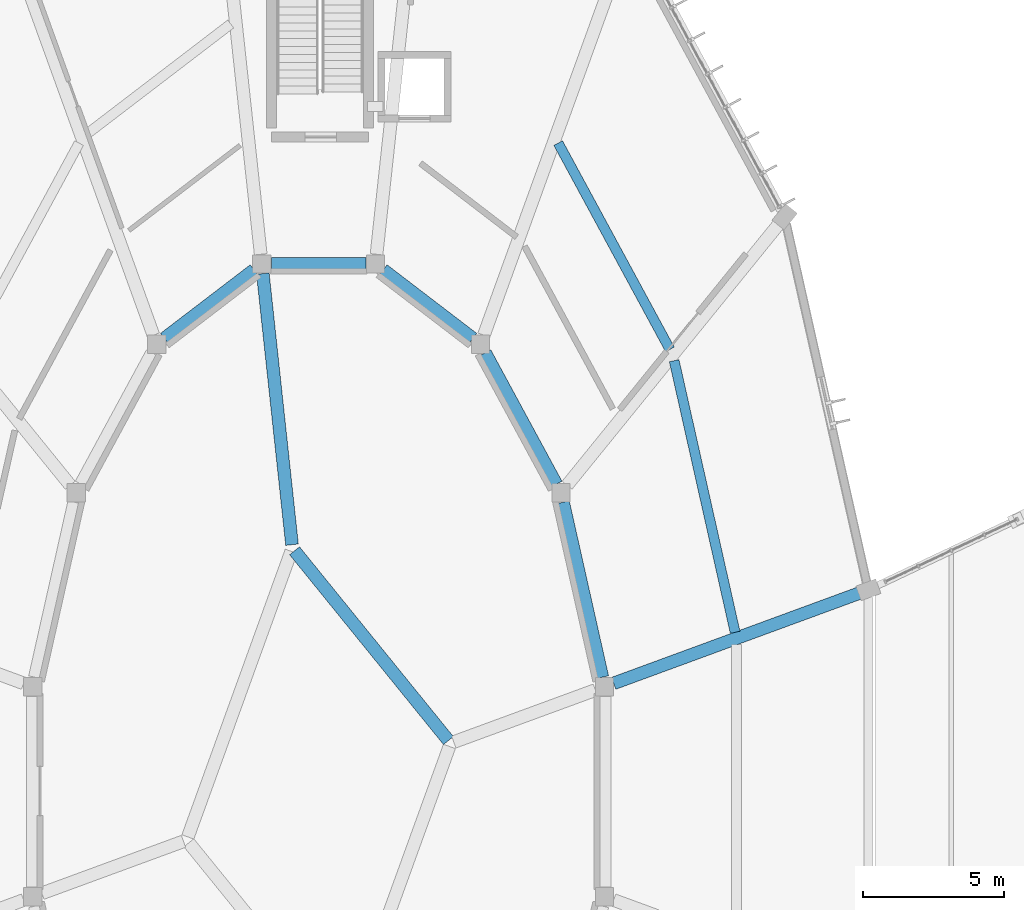
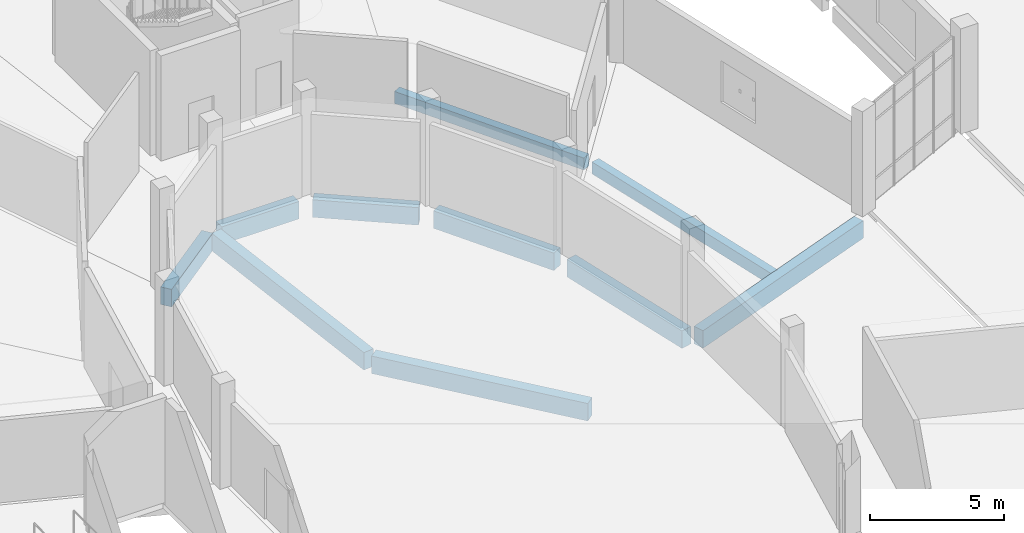
# One storey, part 70 of 179: 10 beams.
"""IFC4 building model written with IfcOpenShell, lengths in metres."""

import ifcopenshell
import ifcopenshell.guid

model = None  # the IFC model being written
_history = None  # IfcOwnerHistory: only IFC2X3 demands one
_inside = {}  # id of a spatial element -> (the spatial element, [elements in it])
_under = {}  # id of a project, library or spatial element -> (it, [spatial elements below it])
_declared = {}  # id of a project -> (the project, [libraries it declares])
_typed = {}  # id of a type object -> (the type object, [elements of that type])
_made_of = {}  # id of a material, layer set ... -> (it, [elements and type objects made of it])


def new_model(schema):
    """Start an empty IFC model of exactly this schema.

    Asked for "IFC4X3", IfcOpenShell would pick the latest addendum, in which some entities
    have other attributes; the version numbers below select the first issue.
    IFC2X3 requires an IfcOwnerHistory on every rooted entity: one is made here for all.
    """
    global model, _history
    if schema == "IFC4X3":
        model = ifcopenshell.file(schema_version=(4, 3, 0, 0))
    else:
        model = ifcopenshell.file(schema=schema)
    _inside.clear()
    _under.clear()
    _declared.clear()
    _typed.clear()
    _made_of.clear()
    _history = None
    if model.schema == "IFC2X3":
        org = make("IfcOrganization", Name="unknown")
        user = make(
            "IfcPersonAndOrganization",
            ThePerson=make("IfcPerson", FamilyName="unknown"),
            TheOrganization=org,
        )
        app = make(
            "IfcApplication",
            ApplicationDeveloper=org,
            Version="unknown",
            ApplicationFullName="unknown",
            ApplicationIdentifier="unknown",
        )
        _history = make(
            "IfcOwnerHistory",
            OwningUser=user,
            OwningApplication=app,
            ChangeAction="ADDED",
            CreationDate=0,
        )
    return model


def make(cls, **values):
    """One entity of the class cls with the attributes given. An attribute that is None is left unset."""
    return model.create_entity(
        cls, **{name: value for name, value in values.items() if value is not None}
    )


def rooted(cls, **values):
    """An entity with a GlobalId (a new one), such as an element, a storey or a relation."""
    return make(cls, GlobalId=ifcopenshell.guid.new(), OwnerHistory=_history, **values)


def si_unit(unit_type, name, prefix=None):
    """IfcSIUnit, for example si_unit("LENGTHUNIT", "METRE", prefix="MILLI")."""
    return make("IfcSIUnit", UnitType=unit_type, Prefix=prefix, Name=name)


def assignment(units):
    """IfcUnitAssignment: the units of a project."""
    return None if units is None else make("IfcUnitAssignment", Units=units)


def point(xyz):
    """IfcCartesianPoint."""
    return None if xyz is None else make("IfcCartesianPoint", Coordinates=xyz)


def direction(xyz):
    """IfcDirection."""
    return None if xyz is None else make("IfcDirection", DirectionRatios=xyz)


def frame(location, z_axis=None, x_axis=None):
    """IfcAxis2Placement3D, a coordinate frame: its origin and axes. An axis left out is left unset."""
    return make(
        "IfcAxis2Placement3D",
        Location=point(location),
        Axis=direction(z_axis),
        RefDirection=direction(x_axis),
    )


def frame_2d(location, x_axis=None):
    """IfcAxis2Placement2D, a coordinate frame in the plane: its origin and x axis."""
    return make(
        "IfcAxis2Placement2D", Location=point(location), RefDirection=direction(x_axis)
    )


def origin():
    """The frame at (0, 0, 0) with its axes left unset."""
    return frame((0.0, 0.0, 0.0))


def origin_2d():
    """The frame at (0, 0) in the plane with its x axis left unset."""
    return frame_2d((0.0, 0.0))


def place(relative_to, where):
    """IfcLocalPlacement: puts the frame where relative to a parent placement (None: the world)."""
    return make(
        "IfcLocalPlacement", PlacementRelTo=relative_to, RelativePlacement=where
    )


def context(
    kind, dimensions, precision=None, world=None, true_north=None, identifier=None
):
    """IfcGeometricRepresentationContext, for example the 3D "Model" context."""
    return make(
        "IfcGeometricRepresentationContext",
        ContextIdentifier=identifier,
        ContextType=kind,
        CoordinateSpaceDimension=dimensions,
        Precision=precision,
        WorldCoordinateSystem=world,
        TrueNorth=true_north,
    )


def subcontext(parent, identifier, kind, view, scale=None):
    """IfcGeometricRepresentationSubContext, for example "Body" below "Model"."""
    return make(
        "IfcGeometricRepresentationSubContext",
        ContextIdentifier=identifier,
        ContextType=kind,
        ParentContext=parent,
        TargetScale=scale,
        TargetView=view,
    )


def project(units=None, contexts=None):
    """IfcProject with its units and contexts."""
    return rooted(
        "IfcProject",
        Name="project",
        RepresentationContexts=contexts,
        UnitsInContext=assignment(units),
    )


def spatial(cls, under=None, at=None, **own):
    """A site, building, storey or space (cls), placed at a placement, below another one or the project."""
    s = rooted(cls, ObjectPlacement=at, **own)
    if under is not None:
        _under.setdefault(under.id(), (under, []))[1].append(s)
    return s


def profile(cls, at=None, kind="AREA", **sizes):
    """A parametric profile (cls). Its sizes go by their IFC names, for example OverallWidth=200.0."""
    return make(cls, ProfileType=kind, Position=at, **sizes)


def rectangle(**sizes):
    """IfcRectangleProfileDef."""
    return profile("IfcRectangleProfileDef", **sizes)


def extrude(swept, where, along, depth):
    """IfcExtrudedAreaSolid: the profile swept, set in the frame where, extruded along a direction by depth."""
    return make(
        "IfcExtrudedAreaSolid",
        SweptArea=swept,
        Position=where,
        ExtrudedDirection=direction(along),
        Depth=depth,
    )


def shape(context_of_items, identifier, shape_type, items):
    """IfcShapeRepresentation: the items that make up one representation, for example the "Body"."""
    return make(
        "IfcShapeRepresentation",
        ContextOfItems=context_of_items,
        RepresentationIdentifier=identifier,
        RepresentationType=shape_type,
        Items=items,
    )


def material(Name=None, Category=None):
    """IfcMaterial."""
    return make("IfcMaterial", Name=Name, Category=Category)


def material_profile(
    of_material, cross_section, Name=None, Category=None, Priority=None
):
    """IfcMaterialProfile: a cross section and its material."""
    return make(
        "IfcMaterialProfile",
        Name=Name,
        Material=of_material,
        Profile=cross_section,
        Priority=Priority,
        Category=Category,
    )


def profile_set(profiles, Name=None, composite=None):
    """IfcMaterialProfileSet."""
    return make(
        "IfcMaterialProfileSet",
        Name=Name,
        MaterialProfiles=profiles,
        CompositeProfile=composite,
    )


def made_of(thing, what):
    """Note that an element or type object is made of a material, layer set ...; save() writes the relation."""
    if what is not None:
        _made_of.setdefault(what.id(), (what, []))[1].append(thing)
    return thing


def type_object(cls, material=None, **own):
    """A type object (cls), such as IfcWallType, which elements share."""
    return made_of(rooted(cls, **own), material)


def element(
    cls,
    number,
    at=None,
    inside=None,
    cuts=None,
    type_object=None,
    material=None,
    context=None,
    identifier="Body",
    shape_type=None,
    held_by="IfcProductDefinitionShape",
    body=None,
    shapes=None,
    **own,
):
    """One element of the class cls, such as IfcWall. Its Tag is "e" and its number.

    at: its placement. inside: the storey or other place that contains it. cuts: it is an
    opening in that element (IfcRelVoidsElement). A single representation is given by context,
    identifier, shape_type and body (its items); several are given by shapes. held_by: the class
    of the entity that holds the representations. save() writes the other relations.
    """
    e = rooted(cls, Tag="e%d" % number, ObjectPlacement=at, **own)
    if body is not None:
        shapes = [shape(context, identifier, shape_type, body)]
    if shapes is not None:
        e.Representation = make(held_by, Representations=shapes)
    if inside is not None:
        _inside.setdefault(inside.id(), (inside, []))[1].append(e)
    if cuts is not None:
        rooted(
            "IfcRelVoidsElement", RelatingBuildingElement=cuts, RelatedOpeningElement=e
        )
    if type_object is not None:
        _typed.setdefault(type_object.id(), (type_object, []))[1].append(e)
    return made_of(e, material)


def aggregate(whole, parts):
    """IfcRelAggregates: a whole, such as a stair, and the parts it consists of."""
    return rooted("IfcRelAggregates", RelatingObject=whole, RelatedObjects=parts)


def save(model, path):
    """Write the relations noted so far, then the file.

    IfcRelAggregates (storeys below a building ...), IfcRelContainedInSpatialStructure (elements
    in a storey), IfcRelDefinesByType, IfcRelAssociatesMaterial and IfcRelDeclares: one each for
    every whole, place, type object, material and project.
    """
    for whole, parts in _under.values():
        aggregate(whole, parts)
    for where, things in _inside.values():
        rooted(
            "IfcRelContainedInSpatialStructure",
            RelatedElements=things,
            RelatingStructure=where,
        )
    for kind, things in _typed.values():
        rooted("IfcRelDefinesByType", RelatedObjects=things, RelatingType=kind)
    for what, things in _made_of.values():
        rooted("IfcRelAssociatesMaterial", RelatedObjects=things, RelatingMaterial=what)
    for by, libraries in _declared.values():
        rooted("IfcRelDeclares", RelatingContext=by, RelatedDefinitions=libraries)
    model.write(path)


model = new_model("IFC4")

# Units and contexts
model_context = context("Model", 3, precision=1e-05, world=origin(), true_north=direction((0.0, 1.0)))
body_context = subcontext(model_context, "Body", "Model", "MODEL_VIEW")
ifc_project = project(units=[si_unit("LENGTHUNIT", "METRE"), si_unit("AREAUNIT", "SQUARE_METRE"), si_unit("VOLUMEUNIT", "CUBIC_METRE"), si_unit("PLANEANGLEUNIT", "RADIAN"), si_unit("MASSUNIT", "GRAM", prefix="KILO")], contexts=[model_context])

# Site, building, storey
site_placement = place(None, origin())
site = spatial("IfcSite", under=ifc_project, at=site_placement, CompositionType="ELEMENT")
building_placement = place(site_placement, origin())
building = spatial("IfcBuilding", under=site, at=building_placement, Name="Corvandel Quay Wholesale Market", CompositionType="ELEMENT")
storey_placement = place(building_placement, frame((0.0, 0.0, 6.0)))
storey = spatial("IfcBuildingStorey", under=building, at=storey_placement, Name="L01", CompositionType="ELEMENT", Elevation=6.0)

# Beams
ifc_material = material(Name="Precast concrete C45/55", Category="concrete")
ifc_material_profile_1 = material_profile(ifc_material, rectangle(XDim=0.449951171875, YDim=0.800048828125, at=origin_2d()), Name="PC-GIR-450x800")
ifc_profile_set_1 = profile_set([ifc_material_profile_1], Name="Precast concrete C45/55")
beam_type_1 = type_object("IfcBeamType", Name="Auction Pavilion Girder G05 450x800", PredefinedType="USERDEFINED", material=ifc_profile_set_1)
beam_1_placement = place(storey_placement, frame((199.103271484375, 61.813720703125, -0.639892578125), z_axis=(-0.629773474847, 0.776778842644, 0.0), x_axis=(-0.776778842644, -0.629773474847, 0.0)))
element("IfcBeam", 1, at=beam_1_placement, inside=storey, type_object=beam_type_1, Name="Beam BM-0761", ObjectType="GIRDER", PredefinedType="USERDEFINED", context=body_context, shape_type="SweptSolid", body=[
    extrude(rectangle(XDim=0.449951171875, YDim=0.800048828125, at=origin_2d()), origin(), (0.0, 0.0, 1.0), 8.665771484375),
])
beam_2_placement = place(storey_placement, frame((192.52001953125, 78.376953125, -0.639892578125), z_axis=(0.107108903442, -0.994247294592, 0.0), x_axis=(0.994247294592, 0.107108903442, 0.0)))
element("IfcBeam", 2, at=beam_2_placement, inside=storey, type_object=beam_type_1, Name="Beam BM-0764", ObjectType="GIRDER", PredefinedType="USERDEFINED", context=body_context, shape_type="SweptSolid", body=[
    extrude(rectangle(XDim=0.449951171875, YDim=0.800048828125, at=origin_2d()), origin(), (0.0, 0.0, 1.0), 9.67138671875),
])
beam_3_placement = place(storey_placement, frame((204.564453125, 64.060546875, -0.639892578125), z_axis=(-0.218994347001, 0.975726127549, 0.0), x_axis=(-0.975726127549, -0.218994347001, 0.0)))
element("IfcBeam", 3, at=beam_3_placement, inside=storey, type_object=beam_type_1, Name="Beam BM-0770", ObjectType="GIRDER", PredefinedType="USERDEFINED", context=body_context, shape_type="SweptSolid", body=[
    extrude(rectangle(XDim=0.449951171875, YDim=0.800048828125, at=origin_2d()), origin(), (0.0, 0.0, 1.0), 6.361083984375),
])
beam_4_placement = place(storey_placement, frame((213.74658203125, 67.06787109375, -0.639892578125), z_axis=(-0.938719908287, -0.344680915899, 0.0), x_axis=(0.344680915899, -0.938719908287, 0.0)))
element("IfcBeam", 4, at=beam_4_placement, inside=storey, type_object=beam_type_1, Name="Beam BM-0771", ObjectType="GIRDER", PredefinedType="USERDEFINED", context=body_context, shape_type="SweptSolid", body=[
    extrude(rectangle(XDim=0.449951171875, YDim=0.800048828125, at=origin_2d()), origin(), (0.0, 0.0, 1.0), 9.35595703125),
])
beam_5_placement = place(storey_placement, frame((202.931640625, 70.907470703125, -0.639892578125), z_axis=(-0.476241586834, 0.879314477858, 0.0), x_axis=(-0.879314477858, -0.476241586834, 0.0)))
element("IfcBeam", 5, at=beam_5_placement, inside=storey, type_object=beam_type_1, Name="Beam BM-0781", ObjectType="GIRDER", PredefinedType="USERDEFINED", context=body_context, shape_type="SweptSolid", body=[
    extrude(rectangle(XDim=0.449951171875, YDim=0.800048828125, at=origin_2d()), origin(), (0.0, 0.0, 1.0), 5.298583984375),
])
beam_6_placement = place(storey_placement, frame((199.969970703125, 76.07958984375, -0.639892578125), z_axis=(-0.79436475942, 0.607441049808, 0.0), x_axis=(-0.607441049808, -0.79436475942, 0.0)))
element("IfcBeam", 6, at=beam_6_placement, inside=storey, type_object=beam_type_1, Name="Beam BM-0792", ObjectType="GIRDER", PredefinedType="USERDEFINED", context=body_context, shape_type="SweptSolid", body=[
    extrude(rectangle(XDim=0.449951171875, YDim=0.800048828125, at=origin_2d()), origin(), (0.0, 0.0, 1.0), 4.001953125),
])
beam_7_placement = place(storey_placement, frame((196.172119140625, 78.719970703125, -0.639892578125), z_axis=(-1.0, 0.0, 0.0), x_axis=(0.0, -1.0, 0.0)))
element("IfcBeam", 7, at=beam_7_placement, inside=storey, type_object=beam_type_1, Name="Beam BM-0801", ObjectType="GIRDER", PredefinedType="USERDEFINED", context=body_context, shape_type="SweptSolid", body=[
    extrude(rectangle(XDim=0.449951171875, YDim=0.800048828125, at=origin_2d()), origin(), (0.0, 0.0, 1.0), 3.34423828125),
])
beam_8_placement = place(storey_placement, frame((192.208984375, 78.510498046875, -0.639892578125), z_axis=(-0.79436475942, -0.607441049808, 0.0), x_axis=(0.607441049808, -0.79436475942, 0.0)))
element("IfcBeam", 8, at=beam_8_placement, inside=storey, type_object=beam_type_1, Name="Beam BM-0810", ObjectType="GIRDER", PredefinedType="USERDEFINED", context=body_context, shape_type="SweptSolid", body=[
    extrude(rectangle(XDim=0.449951171875, YDim=0.800048828125, at=origin_2d()), origin(), (0.0, 0.0, 1.0), 4.001953125),
])
ifc_material_profile_2 = material_profile(ifc_material, rectangle(XDim=0.35009765625, YDim=0.550048828125, at=origin_2d()), Name="PC-BM-350x550")
ifc_profile_set_2 = profile_set([ifc_material_profile_2], Name="Precast concrete C45/55")
beam_type_2 = type_object("IfcBeamType", Name="Standard Floor Secondary Beam B03 350x550", PredefinedType="BEAM", material=ifc_profile_set_2)
beam_9_placement = place(storey_placement, frame((209.27294921875, 65.65234375, -0.514892578125), z_axis=(-0.218963891009, 0.975732962667, 0.0), x_axis=(-0.975732962667, -0.218963891009, 0.0)))
element("IfcBeam", 9, at=beam_9_placement, inside=storey, type_object=beam_type_2, Name="Beam BM-0772", PredefinedType="BEAM", context=body_context, shape_type="SweptSolid", body=[
    extrude(rectangle(XDim=0.35009765625, YDim=0.550048828125, at=origin_2d()), origin(), (0.0, 0.0, 1.0), 9.87548828125),
])
beam_10_placement = place(storey_placement, frame((206.961181640625, 75.68701171875, -0.514892578125), z_axis=(-0.476260468975, 0.879304250923, 0.0), x_axis=(-0.879304250923, -0.476260468975, 0.0)))
element("IfcBeam", 10, at=beam_10_placement, inside=storey, type_object=beam_type_2, Name="Beam BM-0783", PredefinedType="BEAM", context=body_context, shape_type="SweptSolid", body=[
    extrude(rectangle(XDim=0.35009765625, YDim=0.550048828125, at=origin_2d()), origin(), (0.0, 0.0, 1.0), 8.322998046875),
])

save(model, "model.ifc")
